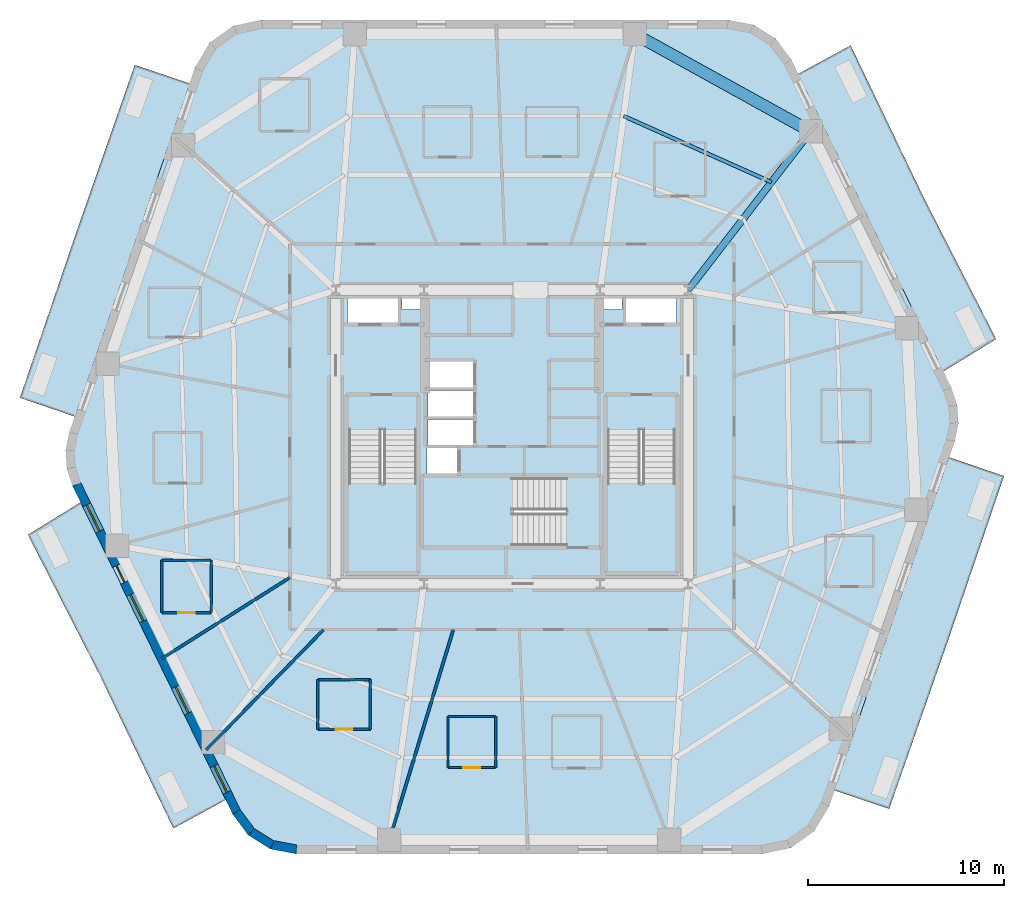
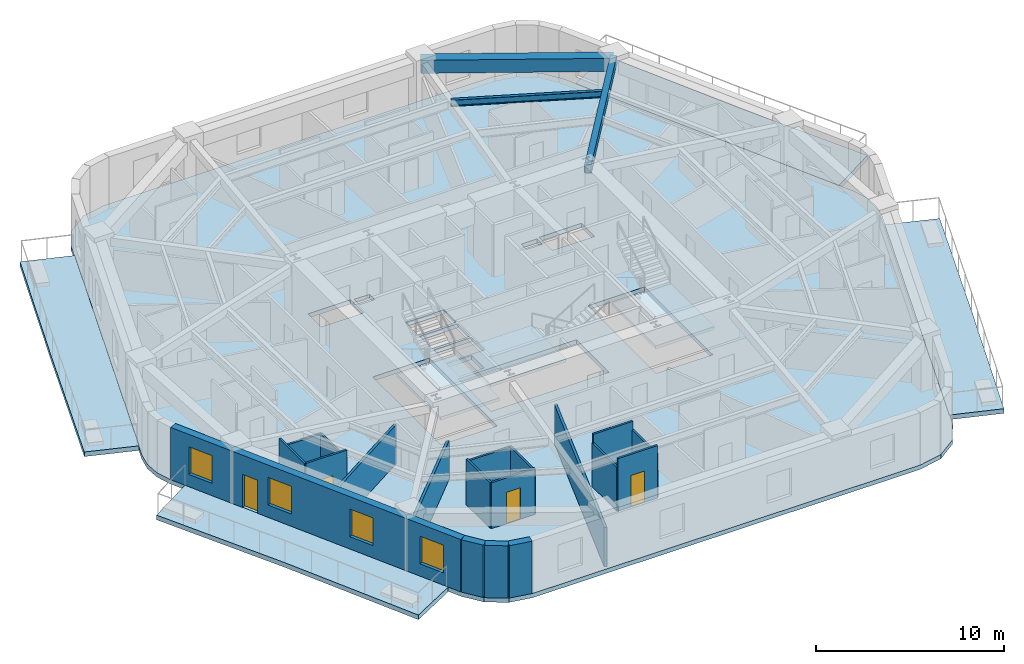
# One storey, part 2 of 10: 19 walls, 8 slabs, 4 doors, 4 windows, 3 beams, 8 openings, 3 elements without a shape of their own.
"""IFC4 building model written with IfcOpenShell, lengths in metres."""

from ifc_helpers import new_model, si_unit, direction, frame, frame_2d, origin, origin_2d, place, context, subcontext, project, spatial, polyline, rectangle, i_section, outline, extrude, material, layer, layer_set, material_profile, profile_set, type_object, element, fill, aggregate, save


model = new_model("IFC4")

# Units and contexts
model_context = context("Model", 3, precision=1e-05, world=origin(), true_north=direction((0.0, 1.0)))
body_context = subcontext(model_context, "Body", "Model", "MODEL_VIEW")
ifc_project = project(units=[si_unit("LENGTHUNIT", "METRE"), si_unit("AREAUNIT", "SQUARE_METRE"), si_unit("VOLUMEUNIT", "CUBIC_METRE"), si_unit("PLANEANGLEUNIT", "RADIAN"), si_unit("MASSUNIT", "GRAM", prefix="KILO")], contexts=[model_context])

# Site, building, storey
site_placement = place(None, origin())
site = spatial("IfcSite", under=ifc_project, at=site_placement, CompositionType="ELEMENT")
building_placement = place(site_placement, origin())
building = spatial("IfcBuilding", under=site, at=building_placement, Name="Kilnhurst Terrace Hotel", CompositionType="ELEMENT")
storey_placement = place(building_placement, frame((0.0, 0.0, 117.300048828125)))
storey = spatial("IfcBuildingStorey", under=building, at=storey_placement, Name="L28", CompositionType="ELEMENT", Elevation=117.300048828125)

# Beams
ifc_material_1 = material(Name="Concrete C50/60", Category="concrete")
ifc_material_profile_1 = material_profile(ifc_material_1, rectangle(XDim=0.35009765625, YDim=0.550048828125, at=origin_2d()), Name="RC350X550")
ifc_profile_set_1 = profile_set([ifc_material_profile_1], Name="Concrete C50/60")
beam_type_1 = type_object("IfcBeamType", Name="BM-RAD-350X550", PredefinedType="BEAM", material=ifc_profile_set_1)
beam_1_placement = place(storey_placement, frame((9.0, 7.5, 3.125), z_axis=(0.610904638371, 0.79170418896, 0.0), x_axis=(-0.79170418896, 0.610904638371, 0.0)))
element("IfcBeam", 1, at=beam_1_placement, inside=storey, type_object=beam_type_1, Name="L28 Radial Floor Beam 6", PredefinedType="BEAM", context=body_context, shape_type="SweptSolid", body=[
    extrude(rectangle(XDim=0.35009765625, YDim=0.550048828125, at=origin_2d()), origin(), (0.0, 0.0, 1.0), 10.242431640625),
])
ifc_material_profile_2 = material_profile(ifc_material_1, rectangle(XDim=0.60009765625, YDim=0.85009765625, at=origin_2d()), Name="RC600X850")
ifc_profile_set_2 = profile_set([ifc_material_profile_2], Name="Concrete C50/60")
beam_type_2 = type_object("IfcBeamType", Name="BM-SPN-600X850", PredefinedType="SPANDREL", material=ifc_profile_set_2)
beam_2_placement = place(storey_placement, frame((15.257080078125, 15.60888671875, 2.974853515625), z_axis=(-0.875094010429, 0.483952965598, 0.0), x_axis=(-0.483952965598, -0.875094010429, 0.0)))
element("IfcBeam", 2, at=beam_2_placement, inside=storey, type_object=beam_type_2, Name="L28 Perimeter Spandrel Beam 6", PredefinedType="SPANDREL", context=body_context, shape_type="SweptSolid", body=[
    extrude(rectangle(XDim=0.60009765625, YDim=0.85009765625, at=origin_2d()), origin(), (0.0, 0.0, 1.0), 10.27197265625),
])
ifc_material_2 = material(Name="Steel ASTM A992 Grade 50", Category="steel")
ifc_material_profile_3 = material_profile(ifc_material_2, i_section(OverallWidth=0.180908203125, OverallDepth=0.417236328125, WebThickness=0.010986328125, FlangeThickness=0.018310546875, at=origin_2d()), Name="W16X57")
ifc_profile_set_3 = profile_set([ifc_material_profile_3], Name="Steel ASTM A992 Grade 50")
beam_type_3 = type_object("IfcBeamType", Name="JST-STL-W16X57", PredefinedType="JOIST", material=ifc_profile_set_3)
beam_3_placement = place(storey_placement, frame((13.2548828125, 13.01416015625, 3.19091796875), z_axis=(-0.912760935806, 0.408494154262, 0.0), x_axis=(-0.408494154262, -0.912760935806, 0.0)))
element("IfcBeam", 3, at=beam_3_placement, inside=storey, type_object=beam_type_3, Name="L28 Secondary Floor Steel Joist OUT.6", PredefinedType="JOIST", context=body_context, shape_type="SweptSolid", body=[
    extrude(i_section(OverallWidth=0.180908203125, OverallDepth=0.417236328125, WebThickness=0.010986328125, FlangeThickness=0.018310546875, at=origin_2d()), origin(), (0.0, 0.0, 1.0), 8.274658203125),
])

# Slabs
ifc_layer_1 = layer(ifc_material_1, 0.300048828125, Name="Concrete C50/60")
ifc_layer_set_1 = layer_set([ifc_layer_1], Name="Concrete C50/60")
slab_type_1 = type_object("IfcSlabType", Name="SLB-BAL-300", PredefinedType="FLOOR", material=ifc_layer_set_1)
slab_1_placement = place(storey_placement, frame((0.0, 0.0, -0.300048828125)))
element("IfcSlab", 4, at=slab_1_placement, inside=storey, type_object=slab_type_1, Name="L28 Cantilevered Planted Terrace Slab BAL-L1A", PredefinedType="FLOOR", context=body_context, shape_type="SweptSolid", body=[
    extrude(outline(polyline([(22.233154296875, -10.52880859375), (19.273193359375, -19.0), (16.45751953125, -18.05615234375), (22.319091796875, -1.03466796875), (25.13623046875, -2.0), (22.233154296875, -10.52880859375)])), origin(), (0.0, 0.0, 1.0), 0.300048828125),
])
slab_2_placement = place(storey_placement, frame((0.0, 0.0, -0.300048828125)))
element("IfcSlab", 5, at=slab_2_placement, inside=storey, type_object=slab_type_1, Name="L28 Cantilevered Planted Terrace Slab BAL-L1B", PredefinedType="FLOOR", context=body_context, shape_type="SweptSolid", body=[
    extrude(outline(polyline([(24.734130859375, 5.0), (22.023193359375, 3.333740234375), (14.6083984375, 18.53564453125), (17.301513671875, 20.0), (21.044921875, 12.205810546875), (24.734130859375, 5.0)])), origin(), (0.0, 0.0, 1.0), 0.300048828125),
])
slab_3_placement = place(storey_placement, frame((0.0, 0.0, -0.300048828125)))
element("IfcSlab", 6, at=slab_3_placement, inside=storey, type_object=slab_type_1, Name="L28 Cantilevered Planted Terrace Slab BAL-L2A", PredefinedType="FLOOR", context=body_context, shape_type="SweptSolid", body=[
    extrude(outline(polyline([(-19.273193359375, 19.0), (-16.45751953125, 18.05615234375), (-22.319091796875, 1.03466796875), (-25.13623046875, 2.0), (-22.233154296875, 10.52880859375), (-19.273193359375, 19.0)])), origin(), (0.0, 0.0, 1.0), 0.300048828125),
])
slab_4_placement = place(storey_placement, frame((0.0, 0.0, -0.300048828125)))
element("IfcSlab", 7, at=slab_4_placement, inside=storey, type_object=slab_type_1, Name="L28 Cantilevered Planted Terrace Slab BAL-L2B", PredefinedType="FLOOR", context=body_context, shape_type="SweptSolid", body=[
    extrude(outline(polyline([(-24.734130859375, -5.0), (-22.023193359375, -3.333740234375), (-14.6083984375, -18.53564453125), (-17.301513671875, -20.0), (-21.044921875, -12.205810546875), (-24.734130859375, -5.0)])), origin(), (0.0, 0.0, 1.0), 0.300048828125),
])
ifc_layer_2 = layer(ifc_material_1, 0.280029296875, Name="Concrete C50/60")
ifc_layer_set_2 = layer_set([ifc_layer_2], Name="Concrete C50/60")
slab_type_2 = type_object("IfcSlabType", Name="SLB-FLR-280", PredefinedType="FLOOR", material=ifc_layer_set_2)
slab_5_placement = place(storey_placement, frame((0.0, 0.0, -0.280029296875)))
element("IfcSlab", 8, at=slab_5_placement, inside=storey, type_object=slab_type_2, Name="L28 Structural Floor Slab", PredefinedType="FLOOR", context=body_context, shape_type="SweptSolid", body=[
    extrude(outline(polyline([(-14.2685546875, -19.2783203125), (-13.472900390625, -20.34716796875), (-12.342529296875, -21.05322265625), (-11.032958984375, -21.300048828125), (12.793701171875, -21.300048828125), (14.23876953125, -20.997314453125), (15.44091796875, -20.139892578125), (16.197509765625, -18.872314453125), (22.614501953125, -0.238525390625), (22.8017578125, 0.6826171875), (22.744384765625, 1.62060546875), (22.4462890625, 2.51171875), (14.2685546875, 19.2783203125), (13.472900390625, 20.34716796875), (12.342529296875, 21.05322265625), (11.032958984375, 21.300048828125), (-12.793701171875, 21.300048828125), (-14.23876953125, 20.997314453125), (-15.44091796875, 20.139892578125), (-16.197509765625, 18.872314453125), (-22.614501953125, 0.238525390625), (-22.8017578125, -0.6826171875), (-22.744384765625, -1.62060546875), (-22.4462890625, -2.51171875), (-14.2685546875, -19.2783203125)]), holes=[polyline([(-8.35009765625, 0.35498046875), (-4.8798828125, 0.35498046875), (-4.8798828125, -6.89990234375), (-8.35009765625, -6.89990234375), (-8.35009765625, 0.35498046875)]), polyline([(-2.800048828125, -1.89990234375), (-4.35009765625, -1.89990234375), (-4.35009765625, -0.550048828125), (-2.800048828125, -0.550048828125), (-2.800048828125, -1.89990234375)]), polyline([(-1.949951171875, -0.429931640625), (-4.300048828125, -0.429931640625), (-4.300048828125, 0.89990234375), (-1.949951171875, 0.89990234375), (-1.949951171875, -0.429931640625)]), polyline([(-4.300048828125, 1.050048828125), (-4.300048828125, 2.3798828125), (-1.949951171875, 2.3798828125), (-1.949951171875, 1.050048828125), (-4.300048828125, 1.050048828125)]), polyline([(-8.39990234375, 5.75), (-8.39990234375, 7.14990234375), (-5.800048828125, 7.14990234375), (-5.800048828125, 5.75), (-8.39990234375, 5.75)]), polyline([(-4.659912109375, 6.52001953125), (-5.6201171875, 6.52001953125), (-5.6201171875, 7.080078125), (-4.659912109375, 7.080078125), (-4.659912109375, 6.52001953125)]), polyline([(2.7548828125, -5.550048828125), (-4.5, -5.550048828125), (-4.5, -2.080078125), (2.7548828125, -2.080078125), (2.7548828125, -5.550048828125)]), polyline([(8.35009765625, 0.35498046875), (8.35009765625, -6.89990234375), (4.8798828125, -6.89990234375), (4.8798828125, 0.35498046875), (8.35009765625, 0.35498046875)]), polyline([(-1.949951171875, 2.530029296875), (-4.300048828125, 2.530029296875), (-4.300048828125, 3.860107421875), (-1.949951171875, 3.860107421875), (-1.949951171875, 2.530029296875)]), polyline([(5.800048828125, 5.75), (5.800048828125, 7.14990234375), (8.39990234375, 7.14990234375), (8.39990234375, 5.75), (5.800048828125, 5.75)]), polyline([(4.659912109375, 6.52001953125), (4.659912109375, 7.080078125), (5.6201171875, 7.080078125), (5.6201171875, 6.52001953125), (4.659912109375, 6.52001953125)])]), origin(), (0.0, 0.0, 1.0), 0.280029296875),
])

# Stair, slab
stair_type = type_object("IfcStairType", Name="STR-CORE-1660", PredefinedType="HALF_TURN_STAIR", material=ifc_material_1)
stair_1_placement = place(storey_placement, origin())
stair_1 = element("IfcStair", 9, at=stair_1_placement, inside=storey, type_object=stair_type, Name="L28 ST-1", PredefinedType="HALF_TURN_STAIR")
ifc_layer_3 = layer(ifc_material_1, 0.199951171875, Name="Concrete C50/60")
ifc_layer_set_3 = layer_set([ifc_layer_3], Name="Concrete C50/60")
slab_type_3 = type_object("IfcSlabType", Name="SLB-ST-LND-200", PredefinedType="LANDING", material=ifc_layer_set_3)
slab_6_placement = place(storey_placement, frame((0.0, 0.0, 1.64990234375)))
slab_6 = element("IfcSlab", 10, at=slab_6_placement, type_object=slab_type_3, Name="ST-1 landing 1", PredefinedType="LANDING", context=body_context, shape_type="SweptSolid", body=[
    extrude(outline(polyline([(-8.429931640625, -2.330078125), (-4.800048828125, -2.330078125), (-4.800048828125, -6.97998046875), (-8.429931640625, -6.97998046875), (-8.429931640625, -2.330078125)])), origin(), (0.0, 0.0, 1.0), 0.199951171875),
])
aggregate(stair_1, [slab_6])

stair_2_placement = place(storey_placement, origin())
stair_2 = element("IfcStair", 11, at=stair_2_placement, inside=storey, type_object=stair_type, Name="L28 ST-2", PredefinedType="HALF_TURN_STAIR")
slab_7_placement = place(storey_placement, frame((0.0, 0.0, 1.64990234375)))
slab_7 = element("IfcSlab", 12, at=slab_7_placement, type_object=slab_type_3, Name="ST-2 landing 1", PredefinedType="LANDING", context=body_context, shape_type="SweptSolid", body=[
    extrude(outline(polyline([(4.800048828125, -2.330078125), (8.429931640625, -2.330078125), (8.429931640625, -6.97998046875), (4.800048828125, -6.97998046875), (4.800048828125, -2.330078125)])), origin(), (0.0, 0.0, 1.0), 0.199951171875),
])
aggregate(stair_2, [slab_7])

stair_3_placement = place(storey_placement, origin())
stair_3 = element("IfcStair", 13, at=stair_3_placement, inside=storey, type_object=stair_type, Name="L28 ST-3", PredefinedType="HALF_TURN_STAIR")
slab_8_placement = place(storey_placement, frame((0.0, 0.0, 1.64990234375)))
slab_8 = element("IfcSlab", 14, at=slab_8_placement, type_object=slab_type_3, Name="ST-3 landing 1", PredefinedType="LANDING", context=body_context, shape_type="SweptSolid", body=[
    extrude(outline(polyline([(0.070068359375, -2.0), (0.070068359375, -5.6298828125), (-4.580078125, -5.6298828125), (-4.580078125, -2.0), (0.070068359375, -2.0)])), origin(), (0.0, 0.0, 1.0), 0.199951171875),
])
aggregate(stair_3, [slab_8])

# Walls
ifc_material_3 = material(Name="Precast concrete C40/50", Category="concrete")
ifc_layer_4 = layer(ifc_material_3, 0.449951171875, Name="Precast concrete C40/50")
ifc_layer_set_4 = layer_set([ifc_layer_4], Name="Precast concrete C40/50")
wall_type_1 = type_object("IfcWallType", Name="WL-BRK-450", PredefinedType="SOLIDWALL", material=ifc_layer_set_4)
wall_1_placement = place(storey_placement, frame((-14.07568359375, -19.16064453125, 0.0), z_axis=(0.0, 0.0, 1.0), x_axis=(0.597226657159, -0.802072515412, 0.0)))
element("IfcWall", 15, at=wall_1_placement, inside=storey, type_object=wall_type_1, Name="L28 Rounded Corner Brick Wall C1.1", PredefinedType="SOLIDWALL", context=body_context, shape_type="SweptSolid", body=[
    extrude(rectangle(XDim=1.269287109375, YDim=0.449951171875, at=frame_2d((0.634765625, 0.0))), origin(), (0.0, 0.0, 1.0), 3.39990234375),
])
wall_2_placement = place(storey_placement, frame((-13.317626953125, -20.1787109375, 0.0), z_axis=(0.0, 0.0, 1.0), x_axis=(0.848031272749, -0.529946186362, 0.0)))
element("IfcWall", 16, at=wall_2_placement, inside=storey, type_object=wall_type_1, Name="L28 Rounded Corner Brick Wall C1.2", PredefinedType="SOLIDWALL", context=body_context, shape_type="SweptSolid", body=[
    extrude(rectangle(XDim=1.248046875, YDim=0.449951171875, at=frame_2d((0.6240234375, 0.0))), origin(), (0.0, 0.0, 1.0), 3.39990234375),
])
wall_3_placement = place(storey_placement, frame((-12.25927734375, -20.840087890625, 0.0), z_axis=(0.0, 0.0, 1.0), x_axis=(0.982730354425, -0.185043374624, 0.0)))
element("IfcWall", 17, at=wall_3_placement, inside=storey, type_object=wall_type_1, Name="L28 Rounded Corner Brick Wall C1.3", PredefinedType="SOLIDWALL", context=body_context, shape_type="SweptSolid", body=[
    extrude(rectangle(XDim=1.269287109375, YDim=0.449951171875, at=frame_2d((0.634765625, 0.0))), origin(), (0.0, 0.0, 1.0), 3.39990234375),
])

# Wall, openings, door, windows
wall_4_placement = place(storey_placement, frame((-22.237548828125, -2.426513671875, 0.0), z_axis=(0.0, 0.0, 1.0), x_axis=(0.438374803278, -0.898792262901, 0.0)))
wall_4 = element("IfcWall", 18, at=wall_4_placement, inside=storey, type_object=wall_type_1, Name="L28 Exterior Brick Facade Wall F6", PredefinedType="SOLIDWALL", context=body_context, shape_type="SweptSolid", body=[
    extrude(rectangle(XDim=18.618408203125, YDim=0.449951171875, at=frame_2d((9.30908203125, 0.0))), origin(), (0.0, 0.0, 1.0), 3.39990234375),
])
opening_1_placement = place(wall_4_placement, frame((4.6201171875, 0.0, 0.0)))
opening_1 = element("IfcOpeningElement", 19, at=opening_1_placement, cuts=wall_4, Name="Opening BD-950", PredefinedType="OPENING", context=body_context, shape_type="SweptSolid", body=[
    extrude(rectangle(XDim=0.949951171875, YDim=2.14990234375, at=frame_2d((0.47509765625, 1.074951171875))), frame((0.0, 0.23486328125, 0.0), z_axis=(0.0, -1.0, 0.0), x_axis=(1.0, 0.0, 0.0)), (0.0, 0.0, 1.0), 0.469970703125),
])
opening_2_placement = place(wall_4_placement, frame((1.1630859375, 0.0, 0.800048828125)))
opening_2 = element("IfcOpeningElement", 20, at=opening_2_placement, cuts=wall_4, Name="Opening W-02", PredefinedType="OPENING", context=body_context, shape_type="SweptSolid", body=[
    extrude(rectangle(XDim=1.5, YDim=1.800048828125, at=frame_2d((0.75, 0.89990234375))), frame((0.0, 0.23486328125, 0.0), z_axis=(0.0, -1.0, 0.0), x_axis=(1.0, 0.0, 0.0)), (0.0, 0.0, 1.0), 0.469970703125),
])
opening_3_placement = place(wall_4_placement, frame((6.261962890625, 0.0, 0.800048828125)))
opening_3 = element("IfcOpeningElement", 21, at=opening_3_placement, cuts=wall_4, Name="Opening W-02", PredefinedType="OPENING", context=body_context, shape_type="SweptSolid", body=[
    extrude(rectangle(XDim=1.5, YDim=1.800048828125, at=frame_2d((0.75, 0.89990234375))), frame((0.0, 0.23486328125, 0.0), z_axis=(0.0, -1.0, 0.0), x_axis=(1.0, 0.0, 0.0)), (0.0, 0.0, 1.0), 0.469970703125),
])
opening_4_placement = place(wall_4_placement, frame((11.5009765625, 0.0, 0.800048828125)))
opening_4 = element("IfcOpeningElement", 22, at=opening_4_placement, cuts=wall_4, Name="Opening W-02", PredefinedType="OPENING", context=body_context, shape_type="SweptSolid", body=[
    extrude(rectangle(XDim=1.5, YDim=1.800048828125, at=frame_2d((0.75, 0.89990234375))), frame((0.0, 0.23486328125, 0.0), z_axis=(0.0, -1.0, 0.0), x_axis=(1.0, 0.0, 0.0)), (0.0, 0.0, 1.0), 0.469970703125),
])
opening_5_placement = place(wall_4_placement, frame((16.006103515625, 0.0, 0.800048828125)))
opening_5 = element("IfcOpeningElement", 23, at=opening_5_placement, cuts=wall_4, Name="Opening W-02", PredefinedType="OPENING", context=body_context, shape_type="SweptSolid", body=[
    extrude(rectangle(XDim=1.5, YDim=1.800048828125, at=frame_2d((0.75, 0.89990234375))), frame((0.0, 0.23486328125, 0.0), z_axis=(0.0, -1.0, 0.0), x_axis=(1.0, 0.0, 0.0)), (0.0, 0.0, 1.0), 0.469970703125),
])
ifc_material_4 = material(Name="Thermally Broken Bronze Aluminium Alloy 6063-T6 and Laminated Glass", Category="aluminium")
door_type_1 = type_object("IfcDoorType", Name="DR-EXT-BAL-950", OperationType="NOTDEFINED", PredefinedType="DOOR", material=ifc_material_4)
door_1_placement = place(opening_1_placement, origin())
door_1 = element("IfcDoor", 24, at=door_1_placement, inside=storey, type_object=door_type_1, Name="L28 Planted Balcony Door BAL-L2B", OperationType="SINGLE_SWING_RIGHT", OverallHeight=2.14990234375, OverallWidth=0.949951171875, PredefinedType="DOOR", context=body_context, shape_type="SweptSolid", body=[
    extrude(rectangle(XDim=0.949951171875, YDim=2.14990234375, at=frame_2d((0.47509765625, 1.074951171875))), frame((0.0, 0.02490234375, 0.0), z_axis=(0.0, -1.0, 0.0), x_axis=(1.0, 0.0, 0.0)), (0.0, 0.0, 1.0), 0.050048828125),
])
fill(opening_1, door_1)
ifc_material_5 = material(Name="Thermally Broken Bronze Aluminium Alloy 6063-T6 and Low-E Glass", Category="aluminium")
window_type = type_object("IfcWindowType", Name="WIN-1500X1800", PartitioningType="SINGLE_PANEL", PredefinedType="WINDOW", material=ifc_material_5)
window_1_placement = place(opening_2_placement, origin())
window_1 = element("IfcWindow", 25, at=window_1_placement, inside=storey, type_object=window_type, Name="L28 Deep-Set Masonry Window F6.1", OverallHeight=1.800048828125, OverallWidth=1.5, PartitioningType="SINGLE_PANEL", PredefinedType="WINDOW", context=body_context, shape_type="SweptSolid", body=[
    extrude(rectangle(XDim=1.5, YDim=1.800048828125, at=frame_2d((0.75, 0.89990234375))), frame((0.0, 0.030029296875, 0.0), z_axis=(0.0, -1.0, 0.0), x_axis=(1.0, 0.0, 0.0)), (0.0, 0.0, 1.0), 0.06005859375),
])
fill(opening_2, window_1)
window_2_placement = place(opening_3_placement, origin())
window_2 = element("IfcWindow", 26, at=window_2_placement, inside=storey, type_object=window_type, Name="L28 Deep-Set Masonry Window F6.2", OverallHeight=1.800048828125, OverallWidth=1.5, PartitioningType="SINGLE_PANEL", PredefinedType="WINDOW", context=body_context, shape_type="SweptSolid", body=[
    extrude(rectangle(XDim=1.5, YDim=1.800048828125, at=frame_2d((0.75, 0.89990234375))), frame((0.0, 0.030029296875, 0.0), z_axis=(0.0, -1.0, 0.0), x_axis=(1.0, 0.0, 0.0)), (0.0, 0.0, 1.0), 0.06005859375),
])
fill(opening_3, window_2)
window_3_placement = place(opening_4_placement, origin())
window_3 = element("IfcWindow", 27, at=window_3_placement, inside=storey, type_object=window_type, Name="L28 Deep-Set Masonry Window F6.3", OverallHeight=1.800048828125, OverallWidth=1.5, PartitioningType="SINGLE_PANEL", PredefinedType="WINDOW", context=body_context, shape_type="SweptSolid", body=[
    extrude(rectangle(XDim=1.5, YDim=1.800048828125, at=frame_2d((0.75, 0.89990234375))), frame((0.0, 0.030029296875, 0.0), z_axis=(0.0, -1.0, 0.0), x_axis=(1.0, 0.0, 0.0)), (0.0, 0.0, 1.0), 0.06005859375),
])
fill(opening_4, window_3)
window_4_placement = place(opening_5_placement, origin())
window_4 = element("IfcWindow", 28, at=window_4_placement, inside=storey, type_object=window_type, Name="L28 Deep-Set Masonry Window F6.4", OverallHeight=1.800048828125, OverallWidth=1.5, PartitioningType="SINGLE_PANEL", PredefinedType="WINDOW", context=body_context, shape_type="SweptSolid", body=[
    extrude(rectangle(XDim=1.5, YDim=1.800048828125, at=frame_2d((0.75, 0.89990234375))), frame((0.0, 0.030029296875, 0.0), z_axis=(0.0, -1.0, 0.0), x_axis=(1.0, 0.0, 0.0)), (0.0, 0.0, 1.0), 0.06005859375),
])
fill(opening_5, window_4)

# Walls
ifc_material_6 = material(Name="STC-58 Acoustic Twin-Frame Guestroom Demising Partition")
ifc_layer_5 = layer(ifc_material_6, 0.14990234375, Name="STC-58 Acoustic Twin-Frame Guestroom Demising Partition")
ifc_layer_set_5 = layer_set([ifc_layer_5], Name="STC-58 Acoustic Twin-Frame Guestroom Demising Partition")
wall_type_2 = type_object("IfcWallType", Name="WL-DEM-150", PredefinedType="PARTITIONING", material=ifc_layer_set_5)
wall_5_placement = place(storey_placement, frame((-11.35009765625, -7.185302734375, 0.0), z_axis=(0.0, 0.0, 1.0), x_axis=(-0.844928274737, -0.534879622485, 0.0)))
element("IfcWall", 29, at=wall_5_placement, inside=storey, type_object=wall_type_2, Name="L28 Interior Wall WL-L28-DEM-MID07-11-1", PredefinedType="PARTITIONING", context=body_context, shape_type="SweptSolid", body=[
    extrude(rectangle(XDim=7.746826171875, YDim=0.14990234375, at=frame_2d((3.87353515625, 0.0))), origin(), (0.0, 0.0, 1.0), 2.5400390625),
])
wall_6_placement = place(storey_placement, frame((-9.6279296875, -9.85009765625, 0.0), z_axis=(0.0, 0.0, 1.0), x_axis=(-0.698992824326, -0.715128681805, 0.0)))
element("IfcWall", 30, at=wall_6_placement, inside=storey, type_object=wall_type_2, Name="L28 Interior Wall WL-L28-DEM-COL08-12-1", PredefinedType="PARTITIONING", context=body_context, shape_type="SweptSolid", body=[
    extrude(rectangle(XDim=8.578857421875, YDim=0.14990234375, at=frame_2d((4.28955078125, 0.0))), origin(), (0.0, 0.0, 1.0), 2.5400390625),
])
wall_7_placement = place(storey_placement, frame((-3.0, -9.85009765625, 0.0), z_axis=(0.0, 0.0, 1.0), x_axis=(-0.291352035382, -0.95661590593, 0.0)))
element("IfcWall", 31, at=wall_7_placement, inside=storey, type_object=wall_type_2, Name="L28 Interior Wall WL-L28-DEM-COL09-13-1", PredefinedType="PARTITIONING", context=body_context, shape_type="SweptSolid", body=[
    extrude(rectangle(XDim=11.73388671875, YDim=0.14990234375, at=frame_2d((5.866943359375, 0.0))), origin(), (0.0, 0.0, 1.0), 2.5400390625),
])

# Wall, opening, door
ifc_material_7 = material(Name="120 mm Moisture-Resistant Tile-Backed Bathroom Partition")
ifc_layer_6 = layer(ifc_material_7, 0.1201171875, Name="120 mm Moisture-Resistant Tile-Backed Bathroom Partition")
ifc_layer_set_6 = layer_set([ifc_layer_6], Name="120 mm Moisture-Resistant Tile-Backed Bathroom Partition")
wall_type_3 = type_object("IfcWallType", Name="WL-PART-120", PredefinedType="PARTITIONING", material=ifc_layer_set_6)
wall_8_placement = place(storey_placement, frame((-17.89404296875, -8.97998046875, 0.0), z_axis=(0.0, 0.0, 1.0), x_axis=(1.0, 0.0, 0.0)))
wall_8 = element("IfcWall", 32, at=wall_8_placement, inside=storey, type_object=wall_type_3, Name="L28 Interior Wall WL-L28-BTH-10-1", PredefinedType="PARTITIONING", context=body_context, shape_type="SweptSolid", body=[
    extrude(rectangle(XDim=2.52001953125, YDim=0.1201171875, at=frame_2d((1.260009765625, 0.0))), origin(), (0.0, 0.0, 1.0), 3.39990234375),
])
opening_6_placement = place(wall_8_placement, frame((0.8349609375, 0.0, 0.0)))
opening_6 = element("IfcOpeningElement", 33, at=opening_6_placement, cuts=wall_8, Name="Opening D-08A", PredefinedType="OPENING", context=body_context, shape_type="SweptSolid", body=[
    extrude(rectangle(XDim=0.85009765625, YDim=2.030029296875, at=frame_2d((0.425048828125, 1.01513671875))), frame((0.0, 0.070068359375, 0.0), z_axis=(0.0, -1.0, 0.0), x_axis=(1.0, 0.0, 0.0)), (0.0, 0.0, 1.0), 0.14013671875),
])
ifc_material_8 = material(Name="Moisture-Resistant Lacquered En-suite Bathroom Door")
door_type_2 = type_object("IfcDoorType", Name="DR-INT-850", OperationType="NOTDEFINED", PredefinedType="DOOR", material=ifc_material_8)
door_2_placement = place(opening_6_placement, origin())
door_2 = element("IfcDoor", 34, at=door_2_placement, inside=storey, type_object=door_type_2, Name="L28 En-suite Bathroom Door 10", OperationType="SINGLE_SWING_LEFT", OverallHeight=2.030029296875, OverallWidth=0.85009765625, PredefinedType="DOOR", context=body_context, shape_type="SweptSolid", body=[
    extrude(rectangle(XDim=0.85009765625, YDim=2.030029296875, at=frame_2d((0.425048828125, 1.01513671875))), frame((0.0, 0.02490234375, 0.0), z_axis=(0.0, -1.0, 0.0), x_axis=(1.0, 0.0, 0.0)), (0.0, 0.0, 1.0), 0.050048828125),
])
fill(opening_6, door_2)

# Walls
wall_9_placement = place(storey_placement, frame((-15.3740234375, -8.97998046875, 0.0), z_axis=(0.0, 0.0, 1.0), x_axis=(0.0, 1.0, 0.0)))
element("IfcWall", 35, at=wall_9_placement, inside=storey, type_object=wall_type_3, Name="L28 Interior Wall WL-L28-BTH-10-2", PredefinedType="PARTITIONING", context=body_context, shape_type="SweptSolid", body=[
    extrude(rectangle(XDim=2.679931640625, YDim=0.1201171875, at=frame_2d((1.33984375, 0.0))), origin(), (0.0, 0.0, 1.0), 2.83984375),
])
wall_10_placement = place(storey_placement, frame((-15.3740234375, -6.300048828125, 0.0), z_axis=(0.0, 0.0, 1.0), x_axis=(-1.0, 0.0, 0.0)))
element("IfcWall", 36, at=wall_10_placement, inside=storey, type_object=wall_type_3, Name="L28 Interior Wall WL-L28-BTH-10-3", PredefinedType="PARTITIONING", context=body_context, shape_type="SweptSolid", body=[
    extrude(rectangle(XDim=2.52001953125, YDim=0.1201171875, at=frame_2d((1.260009765625, 0.0))), origin(), (0.0, 0.0, 1.0), 2.83984375),
])
wall_11_placement = place(storey_placement, frame((-17.89404296875, -6.300048828125, 0.0), z_axis=(0.0, 0.0, 1.0), x_axis=(0.0, -1.0, 0.0)))
element("IfcWall", 37, at=wall_11_placement, inside=storey, type_object=wall_type_3, Name="L28 Interior Wall WL-L28-BTH-10-4", PredefinedType="PARTITIONING", context=body_context, shape_type="SweptSolid", body=[
    extrude(rectangle(XDim=2.679931640625, YDim=0.1201171875, at=frame_2d((1.33984375, 0.0))), origin(), (0.0, 0.0, 1.0), 3.39990234375),
])

# Wall, opening, door
wall_12_placement = place(storey_placement, frame((-9.9169921875, -14.93994140625, 0.0), z_axis=(0.0, 0.0, 1.0), x_axis=(1.0, 0.0, 0.0)))
wall_12 = element("IfcWall", 38, at=wall_12_placement, inside=storey, type_object=wall_type_3, Name="L28 Interior Wall WL-L28-BTH-12-1", PredefinedType="PARTITIONING", context=body_context, shape_type="SweptSolid", body=[
    extrude(rectangle(XDim=2.679931640625, YDim=0.1201171875, at=frame_2d((1.33984375, 0.0))), origin(), (0.0, 0.0, 1.0), 2.97216796875),
])
opening_7_placement = place(wall_12_placement, frame((0.9150390625, 0.0, 0.0)))
opening_7 = element("IfcOpeningElement", 39, at=opening_7_placement, cuts=wall_12, Name="Opening D-08A", PredefinedType="OPENING", context=body_context, shape_type="SweptSolid", body=[
    extrude(rectangle(XDim=0.85009765625, YDim=2.030029296875, at=frame_2d((0.425048828125, 1.01513671875))), frame((0.0, 0.070068359375, 0.0), z_axis=(0.0, -1.0, 0.0), x_axis=(1.0, 0.0, 0.0)), (0.0, 0.0, 1.0), 0.14013671875),
])
door_3_placement = place(opening_7_placement, origin())
door_3 = element("IfcDoor", 40, at=door_3_placement, inside=storey, type_object=door_type_2, Name="L28 En-suite Bathroom Door 12", OperationType="SINGLE_SWING_LEFT", OverallHeight=2.030029296875, OverallWidth=0.85009765625, PredefinedType="DOOR", context=body_context, shape_type="SweptSolid", body=[
    extrude(rectangle(XDim=0.85009765625, YDim=2.030029296875, at=frame_2d((0.425048828125, 1.01513671875))), frame((0.0, 0.02490234375, 0.0), z_axis=(0.0, -1.0, 0.0), x_axis=(1.0, 0.0, 0.0)), (0.0, 0.0, 1.0), 0.050048828125),
])
fill(opening_7, door_3)

# Walls
wall_13_placement = place(storey_placement, frame((-7.237060546875, -14.93994140625, 0.0), z_axis=(0.0, 0.0, 1.0), x_axis=(0.0, 1.0, 0.0)))
element("IfcWall", 41, at=wall_13_placement, inside=storey, type_object=wall_type_3, Name="L28 Interior Wall WL-L28-BTH-12-2", PredefinedType="PARTITIONING", context=body_context, shape_type="SweptSolid", body=[
    extrude(rectangle(XDim=2.5400390625, YDim=0.1201171875, at=frame_2d((1.27001953125, 0.0))), origin(), (0.0, 0.0, 1.0), 2.84033203125),
])
wall_14_placement = place(storey_placement, frame((-7.237060546875, -12.39990234375, 0.0), z_axis=(0.0, 0.0, 1.0), x_axis=(-1.0, 0.0, 0.0)))
element("IfcWall", 42, at=wall_14_placement, inside=storey, type_object=wall_type_3, Name="L28 Interior Wall WL-L28-BTH-12-3", PredefinedType="PARTITIONING", context=body_context, shape_type="SweptSolid", body=[
    extrude(rectangle(XDim=2.679931640625, YDim=0.1201171875, at=frame_2d((1.33984375, 0.0))), origin(), (0.0, 0.0, 1.0), 2.84033203125),
])
wall_15_placement = place(storey_placement, frame((-9.9169921875, -12.39990234375, 0.0), z_axis=(0.0, 0.0, 1.0), x_axis=(0.0, -1.0, 0.0)))
element("IfcWall", 43, at=wall_15_placement, inside=storey, type_object=wall_type_3, Name="L28 Interior Wall WL-L28-BTH-12-4", PredefinedType="PARTITIONING", context=body_context, shape_type="SweptSolid", body=[
    extrude(rectangle(XDim=2.5400390625, YDim=0.1201171875, at=frame_2d((1.27001953125, 0.0))), origin(), (0.0, 0.0, 1.0), 2.97216796875),
])

# Wall, opening, door
wall_16_placement = place(storey_placement, frame((-3.27294921875, -16.89208984375, 0.0), z_axis=(0.0, 0.0, 1.0), x_axis=(1.0, 0.0, 0.0)))
wall_16 = element("IfcWall", 44, at=wall_16_placement, inside=storey, type_object=wall_type_3, Name="L28 Interior Wall WL-L28-BTH-13-1", PredefinedType="PARTITIONING", context=body_context, shape_type="SweptSolid", body=[
    extrude(rectangle(XDim=2.43994140625, YDim=0.1201171875, at=frame_2d((1.219970703125, 0.0))), origin(), (0.0, 0.0, 1.0), 3.39990234375),
])
opening_8_placement = place(wall_16_placement, frame((0.794921875, 0.0, 0.0)))
opening_8 = element("IfcOpeningElement", 45, at=opening_8_placement, cuts=wall_16, Name="Opening D-08A", PredefinedType="OPENING", context=body_context, shape_type="SweptSolid", body=[
    extrude(rectangle(XDim=0.85009765625, YDim=2.030029296875, at=frame_2d((0.425048828125, 1.01513671875))), frame((0.0, 0.070068359375, 0.0), z_axis=(0.0, -1.0, 0.0), x_axis=(1.0, 0.0, 0.0)), (0.0, 0.0, 1.0), 0.14013671875),
])
door_4_placement = place(opening_8_placement, origin())
door_4 = element("IfcDoor", 46, at=door_4_placement, inside=storey, type_object=door_type_2, Name="L28 En-suite Bathroom Door 13", OperationType="SINGLE_SWING_RIGHT", OverallHeight=2.030029296875, OverallWidth=0.85009765625, PredefinedType="DOOR", context=body_context, shape_type="SweptSolid", body=[
    extrude(rectangle(XDim=0.85009765625, YDim=2.030029296875, at=frame_2d((0.425048828125, 1.01513671875))), frame((0.0, 0.02490234375, 0.0), z_axis=(0.0, -1.0, 0.0), x_axis=(1.0, 0.0, 0.0)), (0.0, 0.0, 1.0), 0.050048828125),
])
fill(opening_8, door_4)

# Walls
wall_17_placement = place(storey_placement, frame((-0.8330078125, -16.89208984375, 0.0), z_axis=(0.0, 0.0, 1.0), x_axis=(0.0, 1.0, 0.0)))
element("IfcWall", 47, at=wall_17_placement, inside=storey, type_object=wall_type_3, Name="L28 Interior Wall WL-L28-BTH-13-2", PredefinedType="PARTITIONING", context=body_context, shape_type="SweptSolid", body=[
    extrude(rectangle(XDim=2.610107421875, YDim=0.1201171875, at=frame_2d((1.30517578125, 0.0))), origin(), (0.0, 0.0, 1.0), 2.84033203125),
])
wall_18_placement = place(storey_placement, frame((-0.8330078125, -14.281982421875, 0.0), z_axis=(0.0, 0.0, 1.0), x_axis=(-1.0, 0.0, 0.0)))
element("IfcWall", 48, at=wall_18_placement, inside=storey, type_object=wall_type_3, Name="L28 Interior Wall WL-L28-BTH-13-3", PredefinedType="PARTITIONING", context=body_context, shape_type="SweptSolid", body=[
    extrude(rectangle(XDim=2.43994140625, YDim=0.1201171875, at=frame_2d((1.219970703125, 0.0))), origin(), (0.0, 0.0, 1.0), 3.39990234375),
])
wall_19_placement = place(storey_placement, frame((-3.27294921875, -14.281982421875, 0.0), z_axis=(0.0, 0.0, 1.0), x_axis=(0.0, -1.0, 0.0)))
element("IfcWall", 49, at=wall_19_placement, inside=storey, type_object=wall_type_3, Name="L28 Interior Wall WL-L28-BTH-13-4", PredefinedType="PARTITIONING", context=body_context, shape_type="SweptSolid", body=[
    extrude(rectangle(XDim=2.610107421875, YDim=0.1201171875, at=frame_2d((1.30517578125, 0.0))), origin(), (0.0, 0.0, 1.0), 2.84033203125),
])

save(model, "model.ifc")
